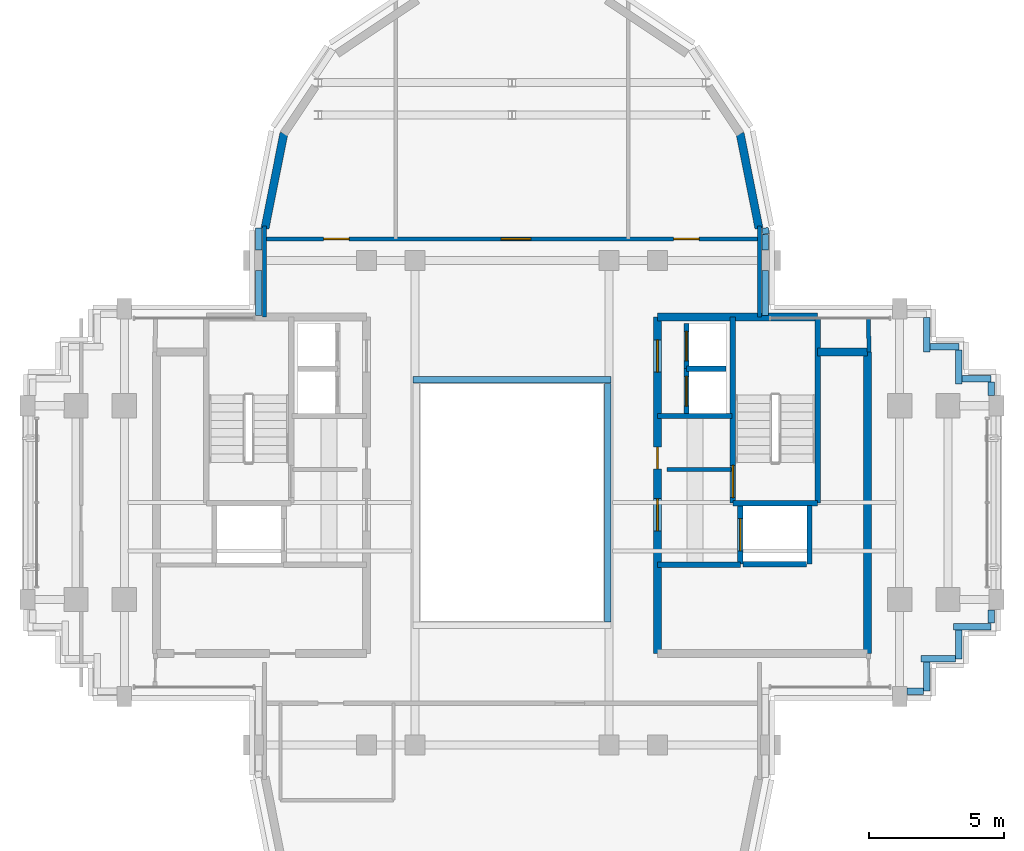
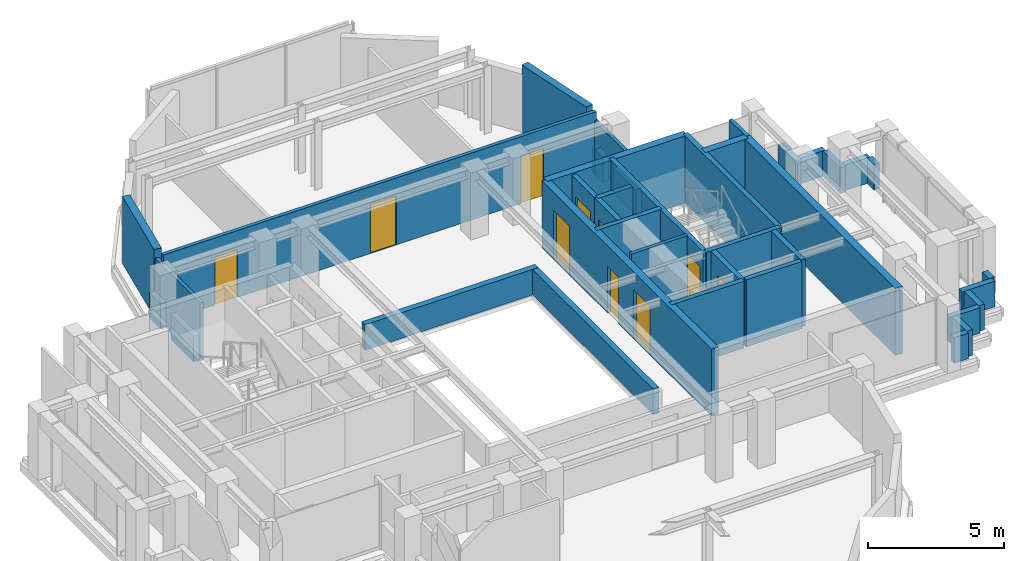
# One storey, part 9 of 12: 40 walls, 10 doors, 10 openings.
"""IFC4 building model written with IfcOpenShell, lengths in metres."""

from ifc_helpers import new_model, si_unit, direction, frame, frame_2d, origin, place, context, subcontext, project, spatial, rectangle, extrude, source, transform, mapped, material, layer, layer_set, type_object, element, fill, save


model = new_model("IFC4")

# Units and contexts
model_context = context("Model", 3, precision=1e-05, world=origin(), true_north=direction((0.0, 1.0)))
body_context = subcontext(model_context, "Body", "Model", "MODEL_VIEW")
ifc_project = project(units=[si_unit("LENGTHUNIT", "METRE"), si_unit("AREAUNIT", "SQUARE_METRE"), si_unit("VOLUMEUNIT", "CUBIC_METRE"), si_unit("PLANEANGLEUNIT", "RADIAN"), si_unit("MASSUNIT", "GRAM", prefix="KILO")], contexts=[model_context])

# Site, building, storey
site_placement = place(None, origin())
site = spatial("IfcSite", under=ifc_project, at=site_placement, CompositionType="ELEMENT")
building_placement = place(site_placement, origin())
building = spatial("IfcBuilding", under=site, at=building_placement, Name="Keilestroom Media Tower", CompositionType="ELEMENT")
storey_placement = place(building_placement, frame((0.0, 0.0, 246.0)))
storey = spatial("IfcBuildingStorey", under=building, at=storey_placement, Name="L68", CompositionType="ELEMENT", Elevation=246.0)

# Walls
ifc_material_1 = material(Name="Precast concrete C40/50", Category="concrete")
ifc_layer_1 = layer(ifc_material_1, 0.300048828125)
ifc_layer_set_1 = layer_set([ifc_layer_1], Name="Precast concrete C40/50")
wall_type_1 = type_object("IfcWallType", Name="Exterior-Masonry-Spandrel-Wall-300", PredefinedType="SOLIDWALL", material=ifc_layer_set_1)
for number, where, z_axis, x_axis, name in (
    (1, (9.1748046875, 10.185302734375, 0.0), (0.0, 0.0, 1.0), (-0.195114232679, 0.980780523974, 0.0), "L68 Lobe Facet Precast Frame Wall 01"),
    (2, (-8.470703125, 13.724609375, 0.0), (0.0, 0.0, 1.0), (-0.195114232679, -0.980780523974, 0.0), "L68 Lobe Facet Precast Frame Wall 06"),
):
    element("IfcWall", number, at=place(storey_placement, frame(where, z_axis=z_axis, x_axis=x_axis)), inside=storey, type_object=wall_type_1, Name=name, PredefinedType="SOLIDWALL", context=body_context, shape_type="SweptSolid", body=[
        extrude(rectangle(XDim=3.608642578125, YDim=0.300048828125, at=frame_2d((1.80419921875, 0.0))), origin(), (0.0, 0.0, 1.0), 3.010009765625),
    ])
ifc_material_2 = material(Name="Gypsum Plasterboard & Steel Stud", Category="steel")
ifc_layer_2 = layer(ifc_material_2, 0.14990234375)
ifc_layer_set_2 = layer_set([ifc_layer_2], Name="Gypsum Plasterboard & Steel Stud")
wall_type_2 = type_object("IfcWallType", Name="Interior-Partition-Wall-150", PredefinedType="PARTITIONING", material=ifc_layer_set_2)
wall_1_placement = place(storey_placement, frame((5.75, 1.239990234375, 0.0), z_axis=(0.0, 0.0, 1.0), x_axis=(1.0, 0.0, 0.0)))
element("IfcWall", 3, at=wall_1_placement, inside=storey, type_object=wall_type_2, Name="L68 Interior Wall WP-L68-FFE-TOP", PredefinedType="PARTITIONING", context=body_context, shape_type="SweptSolid", body=[
    extrude(rectangle(XDim=2.389892578125, YDim=0.14990234375, at=frame_2d((1.19482421875, 0.0))), origin(), (0.0, 0.0, 1.0), 3.010009765625),
])

# Wall, openings, doors
wall_2_placement = place(storey_placement, frame((-9.199951171875, 9.800048828125, 0.0), z_axis=(0.0, 0.0, 1.0), x_axis=(1.0, 0.0, 0.0)))
wall_2 = element("IfcWall", 4, at=wall_2_placement, inside=storey, type_object=wall_type_2, Name="L68 Interior Wall WP-L68-NL-BASE", PredefinedType="PARTITIONING", context=body_context, shape_type="SweptSolid", body=[
    extrude(rectangle(XDim=18.39990234375, YDim=0.14990234375, at=frame_2d((9.199951171875, 0.0))), origin(), (0.0, 0.0, 1.0), 3.010009765625),
])
opening_1_placement = place(wall_2_placement, frame((2.199951171875, 0.0, 0.0)))
opening_1 = element("IfcOpeningElement", 5, at=opening_1_placement, cuts=wall_2, Name="Opening DI-03", PredefinedType="OPENING", context=body_context, shape_type="SweptSolid", body=[
    extrude(rectangle(XDim=0.949951171875, YDim=2.14990234375, at=frame_2d((0.47509765625, 1.074951171875))), frame((0.0, 0.0849609375, 0.0), z_axis=(0.0, -1.0, 0.0), x_axis=(1.0, 0.0, 0.0)), (0.0, 0.0, 1.0), 0.169921875),
])
opening_2_placement = place(wall_2_placement, frame((8.800048828125, 0.0, 0.0)))
opening_2 = element("IfcOpeningElement", 6, at=opening_2_placement, cuts=wall_2, Name="Opening DI-04", PredefinedType="OPENING", context=body_context, shape_type="SweptSolid", body=[
    extrude(rectangle(XDim=1.10009765625, YDim=2.199951171875, at=frame_2d((0.550048828125, 1.10009765625))), frame((0.0, 0.0849609375, 0.0), z_axis=(0.0, -1.0, 0.0), x_axis=(1.0, 0.0, 0.0)), (0.0, 0.0, 1.0), 0.169921875),
])
opening_3_placement = place(wall_2_placement, frame((15.199951171875, 0.0, 0.0)))
opening_3 = element("IfcOpeningElement", 7, at=opening_3_placement, cuts=wall_2, Name="Opening DI-03", PredefinedType="OPENING", context=body_context, shape_type="SweptSolid", body=[
    extrude(rectangle(XDim=0.949951171875, YDim=2.14990234375, at=frame_2d((0.47509765625, 1.074951171875))), frame((0.0, 0.0849609375, 0.0), z_axis=(0.0, -1.0, 0.0), x_axis=(1.0, 0.0, 0.0)), (0.0, 0.0, 1.0), 0.169921875),
])
ifc_material_3 = material(Name="Lacquered European Oak Leaf", Category="wood")
door_type_1 = type_object("IfcDoorType", Name="Interior-Room-And-Suite-Door-DI-03", OperationType="NOTDEFINED", PredefinedType="DOOR", material=ifc_material_3)
shared_shape_1 = source(origin(), body_context, "Body", "SweptSolid", [
    extrude(rectangle(XDim=0.949951171875, YDim=2.14990234375, at=frame_2d((0.47509765625, 1.074951171875))), frame((0.0, 0.02490234375, 0.0), z_axis=(0.0, -1.0, 0.0), x_axis=(1.0, 0.0, 0.0)), (0.0, 0.0, 1.0), 0.050048828125),
])
door_1_placement = place(opening_1_placement, origin())
door_1 = element("IfcDoor", 8, at=door_1_placement, inside=storey, type_object=door_type_1, Name="L68 Interior Door DI-L68-DNL-W", OperationType="SINGLE_SWING_LEFT", OverallHeight=2.14990234375, OverallWidth=0.949951171875, PredefinedType="DOOR", context=body_context, shape_type="MappedRepresentation", body=[
    mapped(shared_shape_1, transform((0.0, 0.0, 0.0), x_axis=(1.0, 0.0, 0.0), y_axis=(0.0, 1.0, 0.0), z_axis=(0.0, 0.0, 1.0), scale=1.0)),
])
fill(opening_1, door_1)
door_2_placement = place(opening_3_placement, origin())
door_2 = element("IfcDoor", 9, at=door_2_placement, inside=storey, type_object=door_type_1, Name="L68 Interior Door DI-L68-DNL-E", OperationType="SINGLE_SWING_LEFT", OverallHeight=2.14990234375, OverallWidth=0.949951171875, PredefinedType="DOOR", context=body_context, shape_type="MappedRepresentation", body=[
    mapped(shared_shape_1, transform((0.0, 0.0, 0.0), x_axis=(1.0, 0.0, 0.0), y_axis=(0.0, 1.0, 0.0), z_axis=(0.0, 0.0, 1.0), scale=1.0)),
])
fill(opening_3, door_2)
ifc_material_4 = material(Name="Acoustic Glazed Aluminium Leaf", Category="aluminium")
door_type_2 = type_object("IfcDoorType", Name="Interior-Room-And-Suite-Door-DI-04", OperationType="NOTDEFINED", PredefinedType="DOOR", material=ifc_material_4)
shared_shape_2 = source(origin(), body_context, "Body", "SweptSolid", [
    extrude(rectangle(XDim=1.10009765625, YDim=2.199951171875, at=frame_2d((0.550048828125, 1.10009765625))), frame((0.0, 0.02490234375, 0.0), z_axis=(0.0, -1.0, 0.0), x_axis=(1.0, 0.0, 0.0)), (0.0, 0.0, 1.0), 0.050048828125),
])
door_3_placement = place(opening_2_placement, origin())
door_3 = element("IfcDoor", 10, at=door_3_placement, inside=storey, type_object=door_type_2, Name="L68 Interior Door DI-L68-DNL-C", OperationType="SINGLE_SWING_RIGHT", OverallHeight=2.199951171875, OverallWidth=1.10009765625, PredefinedType="DOOR", context=body_context, shape_type="MappedRepresentation", body=[
    mapped(shared_shape_2, transform((0.0, 0.0, 0.0), x_axis=(1.0, 0.0, 0.0), y_axis=(0.0, 1.0, 0.0), z_axis=(0.0, 0.0, 1.0), scale=1.0)),
])
fill(opening_2, door_3)

# Walls
for number, where, z_axis, x_axis, name in (
    (11, (-9.199951171875, 6.89990234375, 0.0), (0.0, 0.0, 1.0), (0.0, 1.0, 0.0), "L68 Interior Wall WP-L68-NL-CHKW"),
    (12, (9.199951171875, 6.89990234375, 0.0), (0.0, 0.0, 1.0), (0.0, 1.0, 0.0), "L68 Interior Wall WP-L68-NL-CHKE"),
):
    element("IfcWall", number, at=place(storey_placement, frame(where, z_axis=z_axis, x_axis=x_axis)), inside=storey, type_object=wall_type_2, Name=name, PredefinedType="PARTITIONING", context=body_context, shape_type="SweptSolid", body=[
        extrude(rectangle(XDim=3.380126953125, YDim=0.14990234375, at=frame_2d((1.68994140625, 0.0))), origin(), (0.0, 0.0, 1.0), 2.610107421875),
    ])
wall_3_placement = place(storey_placement, frame((13.260009765625, 5.60009765625, 0.0), z_axis=(0.0, 0.0, 1.0), x_axis=(-0.016013571389, 0.999871774545, 0.0)))
element("IfcWall", 13, at=wall_3_placement, inside=storey, type_object=wall_type_2, Name="L68 Interior Wall WP-L68-EA-ENTN", PredefinedType="PARTITIONING", context=body_context, shape_type="SweptSolid", body=[
    extrude(rectangle(XDim=1.250244140625, YDim=0.14990234375, at=frame_2d((0.625, 0.0))), origin(), (0.0, 0.0, 1.0), 3.010009765625),
])
ifc_material_5 = material(Name="Concrete C50/60", Category="concrete")
ifc_layer_3 = layer(ifc_material_5, 0.300048828125)
ifc_layer_set_3 = layer_set([ifc_layer_3], Name="Concrete C50/60")
wall_type_3 = type_object("IfcWallType", Name="Reinforced-Concrete-Core-Shear-Wall-300", PredefinedType="SHEAR", material=ifc_layer_set_3)
wall_4_placement = place(storey_placement, frame((13.199951171875, -5.60009765625, 0.0), z_axis=(0.0, 0.0, 1.0), x_axis=(0.0, 1.0, 0.0)))
element("IfcWall", 14, at=wall_4_placement, inside=storey, type_object=wall_type_3, Name="L68 Core Shear Wall WL-L68-CORE-E-OUT", PredefinedType="SHEAR", context=body_context, shape_type="SweptSolid", body=[
    extrude(rectangle(XDim=11.2001953125, YDim=0.300048828125, at=frame_2d((5.60009765625, 0.0))), origin(), (0.0, 0.0, 1.0), 3.010009765625),
])

# Wall, openings, doors
wall_5_placement = place(storey_placement, frame((5.39990234375, -5.60009765625, 0.0), z_axis=(0.0, 0.0, 1.0), x_axis=(0.0, 1.0, 0.0)))
wall_5 = element("IfcWall", 15, at=wall_5_placement, inside=storey, type_object=wall_type_3, Name="L68 Core Shear Wall WL-L68-CORE-E-IN", PredefinedType="SHEAR", context=body_context, shape_type="SweptSolid", body=[
    extrude(rectangle(XDim=12.5, YDim=0.300048828125, at=frame_2d((6.25, 0.0))), origin(), (0.0, 0.0, 1.0), 3.010009765625),
])
opening_4_placement = place(wall_5_placement, frame((4.550048828125, 0.0, 0.0)))
opening_4 = element("IfcOpeningElement", 16, at=opening_4_placement, cuts=wall_5, Name="Opening DI-02", PredefinedType="OPENING", context=body_context, shape_type="SweptSolid", body=[
    extrude(rectangle(XDim=1.199951171875, YDim=2.199951171875, at=frame_2d((0.60009765625, 1.10009765625))), frame((0.0, 0.16015625, 0.0), z_axis=(0.0, -1.0, 0.0), x_axis=(1.0, 0.0, 0.0)), (0.0, 0.0, 1.0), 0.320068359375),
])
opening_5_placement = place(wall_5_placement, frame((10.449951171875, 0.0, 0.0)))
opening_5 = element("IfcOpeningElement", 17, at=opening_5_placement, cuts=wall_5, Name="Opening DI-02", PredefinedType="OPENING", context=body_context, shape_type="SweptSolid", body=[
    extrude(rectangle(XDim=1.199951171875, YDim=2.199951171875, at=frame_2d((0.60009765625, 1.10009765625))), frame((0.0, 0.16015625, 0.0), z_axis=(0.0, -1.0, 0.0), x_axis=(1.0, 0.0, 0.0)), (0.0, 0.0, 1.0), 0.320068359375),
])
opening_6_placement = place(wall_5_placement, frame((6.860107421875, 0.0, 0.0)))
opening_6 = element("IfcOpeningElement", 18, at=opening_6_placement, cuts=wall_5, Name="Opening DI-06", PredefinedType="OPENING", context=body_context, shape_type="SweptSolid", body=[
    extrude(rectangle(XDim=0.800048828125, YDim=2.10009765625, at=frame_2d((0.39990234375, 1.050048828125))), frame((0.0, 0.16015625, 0.0), z_axis=(0.0, -1.0, 0.0), x_axis=(1.0, 0.0, 0.0)), (0.0, 0.0, 1.0), 0.320068359375),
])
ifc_material_6 = material(Name="Powder-Coated Steel Fire Leaf", Category="steel")
door_type_3 = type_object("IfcDoorType", Name="Interior-Compartment-Fire-Door-DI-02", OperationType="NOTDEFINED", PredefinedType="DOOR", material=ifc_material_6)
shared_shape_3 = source(origin(), body_context, "Body", "SweptSolid", [
    extrude(rectangle(XDim=1.199951171875, YDim=2.199951171875, at=frame_2d((0.60009765625, 1.10009765625))), frame((0.0, 0.02490234375, 0.0), z_axis=(0.0, -1.0, 0.0), x_axis=(1.0, 0.0, 0.0)), (0.0, 0.0, 1.0), 0.050048828125),
])
door_4_placement = place(opening_4_placement, origin())
door_4 = element("IfcDoor", 19, at=door_4_placement, inside=storey, type_object=door_type_3, Name="L68 E Firefighting Lobby Door", OperationType="SINGLE_SWING_LEFT", OverallHeight=2.199951171875, OverallWidth=1.199951171875, PredefinedType="DOOR", context=body_context, shape_type="MappedRepresentation", body=[
    mapped(shared_shape_3, transform((0.0, 0.0, 0.0), x_axis=(1.0, 0.0, 0.0), y_axis=(0.0, 1.0, 0.0), z_axis=(0.0, 0.0, 1.0), scale=1.0)),
])
fill(opening_4, door_4)
door_5_placement = place(opening_5_placement, origin())
door_5 = element("IfcDoor", 20, at=door_5_placement, inside=storey, type_object=door_type_3, Name="L68 E High-Rise Lift Lobby Door", OperationType="SINGLE_SWING_RIGHT", OverallHeight=2.199951171875, OverallWidth=1.199951171875, PredefinedType="DOOR", context=body_context, shape_type="MappedRepresentation", body=[
    mapped(shared_shape_3, transform((0.0, 0.0, 0.0), x_axis=(1.0, 0.0, 0.0), y_axis=(0.0, 1.0, 0.0), z_axis=(0.0, 0.0, 1.0), scale=1.0)),
])
fill(opening_5, door_5)
ifc_material_7 = material(Name="Powder-Coated Steel Service Leaf", Category="steel")
door_type_4 = type_object("IfcDoorType", Name="Interior-Riser-Access-Door-DI-06", OperationType="NOTDEFINED", PredefinedType="DOOR", material=ifc_material_7)
shared_shape_4 = source(origin(), body_context, "Body", "SweptSolid", [
    extrude(rectangle(XDim=0.800048828125, YDim=2.10009765625, at=frame_2d((0.39990234375, 1.050048828125))), frame((0.0, 0.02490234375, 0.0), z_axis=(0.0, -1.0, 0.0), x_axis=(1.0, 0.0, 0.0)), (0.0, 0.0, 1.0), 0.050048828125),
])
door_6_placement = place(opening_6_placement, origin())
door_6 = element("IfcDoor", 21, at=door_6_placement, inside=storey, type_object=door_type_4, Name="L68 East Core Telecom Door", OperationType="SINGLE_SWING_RIGHT", OverallHeight=2.10009765625, OverallWidth=0.800048828125, PredefinedType="DOOR", context=body_context, shape_type="MappedRepresentation", body=[
    mapped(shared_shape_4, transform((0.0, 0.0, 0.0), x_axis=(1.0, 0.0, 0.0), y_axis=(0.0, 1.0, 0.0), z_axis=(0.0, 0.0, 1.0), scale=1.0)),
])
fill(opening_6, door_6)

# Walls
wall_6_placement = place(storey_placement, frame((5.39990234375, 6.89990234375, 0.0), z_axis=(0.0, 0.0, 1.0), x_axis=(1.0, 0.0, 0.0)))
element("IfcWall", 22, at=wall_6_placement, inside=storey, type_object=wall_type_3, Name="L68 Core Shear Wall WL-L68-CORE-E-N", PredefinedType="SHEAR", context=body_context, shape_type="SweptSolid", body=[
    extrude(rectangle(XDim=5.9560546875, YDim=0.300048828125, at=frame_2d((2.97802734375, 0.0))), origin(), (0.0, 0.0, 1.0), 3.010009765625),
])
wall_7_placement = place(storey_placement, frame((11.35595703125, 5.60009765625, 0.0), z_axis=(0.0, 0.0, 1.0), x_axis=(1.0, 0.0, 0.0)))
element("IfcWall", 23, at=wall_7_placement, inside=storey, type_object=wall_type_3, Name="L68 Core Shear Wall WL-L68-CNE-N", PredefinedType="SHEAR", context=body_context, shape_type="SweptSolid", body=[
    extrude(rectangle(XDim=1.843994140625, YDim=0.300048828125, at=frame_2d((0.921875, 0.0))), origin(), (0.0, 0.0, 1.0), 3.010009765625),
])
ifc_layer_4 = layer(ifc_material_5, 0.199951171875)
ifc_layer_set_4 = layer_set([ifc_layer_4], Name="Concrete C50/60")
wall_type_4 = type_object("IfcWallType", Name="Reinforced-Concrete-Shaft-Wall-200", PredefinedType="SOLIDWALL", material=ifc_layer_set_4)
wall_8_placement = place(storey_placement, frame((5.39990234375, 3.219970703125, 0.0), z_axis=(0.0, 0.0, 1.0), x_axis=(1.0, 0.0, 0.0)))
element("IfcWall", 24, at=wall_8_placement, inside=storey, type_object=wall_type_4, Name="L68 Core Shear Wall WL-L68-CORE-E-FFN", PredefinedType="SOLIDWALL", context=body_context, shape_type="SweptSolid", body=[
    extrude(rectangle(XDim=2.780029296875, YDim=0.199951171875, at=frame_2d((1.39013671875, 0.0))), origin(), (0.0, 0.0, 1.0), 3.010009765625),
])
wall_9_placement = place(storey_placement, frame((5.39990234375, -2.300048828125, 0.0), z_axis=(0.0, 0.0, 1.0), x_axis=(1.0, 0.0, 0.0)))
element("IfcWall", 25, at=wall_9_placement, inside=storey, type_object=wall_type_4, Name="L68 Core Shear Wall WL-L68-CORE-E-FFS", PredefinedType="SOLIDWALL", context=body_context, shape_type="SweptSolid", body=[
    extrude(rectangle(XDim=3.080078125, YDim=0.199951171875, at=frame_2d((1.5400390625, 0.0))), origin(), (0.0, 0.0, 1.0), 3.010009765625),
])

# Wall, opening, door
wall_10_placement = place(storey_placement, frame((8.2041015625, -0.01611328125, 0.0), z_axis=(0.0, 0.0, 1.0), x_axis=(0.0, 1.0, 0.0)))
wall_10 = element("IfcWall", 26, at=wall_10_placement, inside=storey, type_object=wall_type_4, Name="L68 Core Shear Wall WL-L68-STW-E-NEAR", PredefinedType="SOLIDWALL", context=body_context, shape_type="SweptSolid", body=[
    extrude(rectangle(XDim=6.916015625, YDim=0.199951171875, at=frame_2d((3.4580078125, 0.0))), origin(), (0.0, 0.0, 1.0), 3.010009765625),
])
opening_7_placement = place(wall_10_placement, frame((0.199951171875, 0.0, 0.0)))
opening_7 = element("IfcOpeningElement", 27, at=opening_7_placement, cuts=wall_10, Name="Opening DI-01S", PredefinedType="OPENING", context=body_context, shape_type="SweptSolid", body=[
    extrude(rectangle(XDim=1.199951171875, YDim=2.199951171875, at=frame_2d((0.60009765625, 1.10009765625))), frame((0.0, 0.10986328125, 0.0), z_axis=(0.0, -1.0, 0.0), x_axis=(1.0, 0.0, 0.0)), (0.0, 0.0, 1.0), 0.219970703125),
])
door_type_5 = type_object("IfcDoorType", Name="Interior-Stair-And-Core-Fire-Door-DI-01", OperationType="NOTDEFINED", PredefinedType="DOOR", material=ifc_material_6)
door_7_placement = place(opening_7_placement, origin())
door_7 = element("IfcDoor", 28, at=door_7_placement, inside=storey, type_object=door_type_5, Name="L68 Escape Stair ST-2 Fire Door", OperationType="SINGLE_SWING_RIGHT", OverallHeight=2.199951171875, OverallWidth=1.199951171875, PredefinedType="DOOR", context=body_context, shape_type="MappedRepresentation", body=[
    mapped(shared_shape_3, transform((0.0, 0.0, 0.0), x_axis=(1.0, 0.0, 0.0), y_axis=(0.0, 1.0, 0.0), z_axis=(0.0, 0.0, 1.0), scale=1.0)),
])
fill(opening_7, door_7)

# Walls
wall_11_placement = place(storey_placement, frame((11.35595703125, -0.01611328125, 0.0), z_axis=(0.0, 0.0, 1.0), x_axis=(0.0, 1.0, 0.0)))
element("IfcWall", 29, at=wall_11_placement, inside=storey, type_object=wall_type_4, Name="L68 Core Shear Wall WL-L68-STW-E-FAR", PredefinedType="SOLIDWALL", context=body_context, shape_type="SweptSolid", body=[
    extrude(rectangle(XDim=6.916015625, YDim=0.199951171875, at=frame_2d((3.4580078125, 0.0))), origin(), (0.0, 0.0, 1.0), 3.010009765625),
])
wall_12_placement = place(storey_placement, frame((8.2041015625, -0.01611328125, 0.0), z_axis=(0.0, 0.0, 1.0), x_axis=(1.0, 0.0, 0.0)))
element("IfcWall", 30, at=wall_12_placement, inside=storey, type_object=wall_type_4, Name="L68 Core Shear Wall WL-L68-STW-E-S", PredefinedType="SOLIDWALL", context=body_context, shape_type="SweptSolid", body=[
    extrude(rectangle(XDim=3.15185546875, YDim=0.199951171875, at=frame_2d((1.575927734375, 0.0))), origin(), (0.0, 0.0, 1.0), 3.010009765625),
])

# Wall, opening, door
wall_13_placement = place(storey_placement, frame((8.47998046875, -2.280029296875, 0.0), z_axis=(0.0, 0.0, 1.0), x_axis=(0.0, 1.0, 0.0)))
wall_13 = element("IfcWall", 31, at=wall_13_placement, inside=storey, type_object=wall_type_4, Name="L68 Core Shear Wall WL-L68-LSH-FFL-2-W", PredefinedType="SOLIDWALL", context=body_context, shape_type="SweptSolid", body=[
    extrude(rectangle(XDim=2.179931640625, YDim=0.199951171875, at=frame_2d((1.08984375, 0.0))), origin(), (0.0, 0.0, 1.0), 3.010009765625),
])
opening_8_placement = place(wall_13_placement, frame((0.489990234375, 0.0, 0.0)))
opening_8 = element("IfcOpeningElement", 32, at=opening_8_placement, cuts=wall_13, Name="Opening LD-02", PredefinedType="OPENING", context=body_context, shape_type="SweptSolid", body=[
    extrude(rectangle(XDim=1.199951171875, YDim=2.199951171875, at=frame_2d((0.60009765625, 1.10009765625))), frame((0.0, 0.10986328125, 0.0), z_axis=(0.0, -1.0, 0.0), x_axis=(1.0, 0.0, 0.0)), (0.0, 0.0, 1.0), 0.219970703125),
])
ifc_material_8 = material(Name="Brushed Stainless Steel Sliding Leaf", Category="steel")
door_type_6 = type_object("IfcDoorType", Name="Lift-Landing-Sliding-Door-LD-02", OperationType="SLIDING_TO_RIGHT", PredefinedType="DOOR", material=ifc_material_8)
door_8_placement = place(opening_8_placement, origin())
door_8 = element("IfcDoor", 33, at=door_8_placement, inside=storey, type_object=door_type_6, Name="L68 Lift FFL-2 Landing Sliding Door", OperationType="SLIDING_TO_RIGHT", OverallHeight=2.199951171875, OverallWidth=1.199951171875, PredefinedType="DOOR", context=body_context, shape_type="MappedRepresentation", body=[
    mapped(shared_shape_3, transform((0.0, 0.0, 0.0), x_axis=(1.0, 0.0, 0.0), y_axis=(0.0, 1.0, 0.0), z_axis=(0.0, 0.0, 1.0), scale=1.0)),
])
fill(opening_8, door_8)

# Walls
wall_14_placement = place(storey_placement, frame((11.050048828125, -2.280029296875, 0.0), z_axis=(0.0, 0.0, 1.0), x_axis=(0.0, 1.0, 0.0)))
element("IfcWall", 34, at=wall_14_placement, inside=storey, type_object=wall_type_4, Name="L68 Core Shear Wall WL-L68-LSH-FFL-2-E", PredefinedType="SOLIDWALL", context=body_context, shape_type="SweptSolid", body=[
    extrude(rectangle(XDim=2.179931640625, YDim=0.199951171875, at=frame_2d((1.08984375, 0.0))), origin(), (0.0, 0.0, 1.0), 3.010009765625),
])
wall_15_placement = place(storey_placement, frame((8.583984375, -2.280029296875, 0.0), z_axis=(0.0, 0.0, 1.0), x_axis=(1.0, 0.0, 0.0)))
element("IfcWall", 35, at=wall_15_placement, inside=storey, type_object=wall_type_4, Name="L68 Core Shear Wall WL-L68-LSH-FFL-2-S", PredefinedType="SOLIDWALL", context=body_context, shape_type="SweptSolid", body=[
    extrude(rectangle(XDim=2.362060546875, YDim=0.199951171875, at=frame_2d((1.18115234375, 0.0))), origin(), (0.0, 0.0, 1.0), 3.010009765625),
])

# Wall, opening, door
wall_16_placement = place(storey_placement, frame((6.47998046875, 3.300048828125, 0.0), z_axis=(0.0, 0.0, 1.0), x_axis=(0.0, 1.0, 0.0)))
wall_16 = element("IfcWall", 36, at=wall_16_placement, inside=storey, type_object=wall_type_4, Name="L68 Core Shear Wall WL-L68-LSH-PL-H3-W", PredefinedType="SOLIDWALL", context=body_context, shape_type="SweptSolid", body=[
    extrude(rectangle(XDim=1.679931640625, YDim=0.199951171875, at=frame_2d((0.83984375, 0.0))), origin(), (0.0, 0.0, 1.0), 3.010009765625),
])
opening_9_placement = place(wall_16_placement, frame((0.2900390625, 0.0, 0.0)))
opening_9 = element("IfcOpeningElement", 37, at=opening_9_placement, cuts=wall_16, Name="Opening LD-01", PredefinedType="OPENING", context=body_context, shape_type="SweptSolid", body=[
    extrude(rectangle(XDim=1.10009765625, YDim=2.199951171875, at=frame_2d((0.550048828125, 1.10009765625))), frame((0.0, 0.10986328125, 0.0), z_axis=(0.0, -1.0, 0.0), x_axis=(1.0, 0.0, 0.0)), (0.0, 0.0, 1.0), 0.219970703125),
])
door_type_7 = type_object("IfcDoorType", Name="Lift-Landing-Sliding-Door-LD-01", OperationType="SLIDING_TO_LEFT", PredefinedType="DOOR", material=ifc_material_8)
door_9_placement = place(opening_9_placement, origin())
door_9 = element("IfcDoor", 38, at=door_9_placement, inside=storey, type_object=door_type_7, Name="L68 Lift PL-H3 Landing Sliding Door", OperationType="SLIDING_TO_LEFT", OverallHeight=2.199951171875, OverallWidth=1.10009765625, PredefinedType="DOOR", context=body_context, shape_type="MappedRepresentation", body=[
    mapped(shared_shape_2, transform((0.0, 0.0, 0.0), x_axis=(1.0, 0.0, 0.0), y_axis=(0.0, 1.0, 0.0), z_axis=(0.0, 0.0, 1.0), scale=1.0)),
])
fill(opening_9, door_9)

# Wall
wall_17_placement = place(storey_placement, frame((6.47998046875, 4.97998046875, 0.0), z_axis=(0.0, 0.0, 1.0), x_axis=(1.0, 0.0, 0.0)))
element("IfcWall", 39, at=wall_17_placement, inside=storey, type_object=wall_type_4, Name="L68 Core Shear Wall WL-L68-LSH-PL-H3-N", PredefinedType="SOLIDWALL", context=body_context, shape_type="SweptSolid", body=[
    extrude(rectangle(XDim=1.469970703125, YDim=0.199951171875, at=frame_2d((0.73486328125, 0.0))), origin(), (0.0, 0.0, 1.0), 3.010009765625),
])

# Wall, opening, door
wall_18_placement = place(storey_placement, frame((6.47998046875, 4.97998046875, 0.0), z_axis=(0.0, 0.0, 1.0), x_axis=(0.0, 1.0, 0.0)))
wall_18 = element("IfcWall", 40, at=wall_18_placement, inside=storey, type_object=wall_type_4, Name="L68 Core Shear Wall WL-L68-LSH-PL-H4-W", PredefinedType="SOLIDWALL", context=body_context, shape_type="SweptSolid", body=[
    extrude(rectangle(XDim=1.669921875, YDim=0.199951171875, at=frame_2d((0.8349609375, 0.0))), origin(), (0.0, 0.0, 1.0), 3.010009765625),
])
opening_10_placement = place(wall_18_placement, frame((0.284912109375, 0.0, 0.0)))
opening_10 = element("IfcOpeningElement", 41, at=opening_10_placement, cuts=wall_18, Name="Opening LD-01", PredefinedType="OPENING", context=body_context, shape_type="SweptSolid", body=[
    extrude(rectangle(XDim=1.10009765625, YDim=2.199951171875, at=frame_2d((0.550048828125, 1.10009765625))), frame((0.0, 0.10986328125, 0.0), z_axis=(0.0, -1.0, 0.0), x_axis=(1.0, 0.0, 0.0)), (0.0, 0.0, 1.0), 0.219970703125),
])
door_10_placement = place(opening_10_placement, origin())
door_10 = element("IfcDoor", 42, at=door_10_placement, inside=storey, type_object=door_type_7, Name="L68 Lift PL-H4 Landing Sliding Door", OperationType="SLIDING_TO_LEFT", OverallHeight=2.199951171875, OverallWidth=1.10009765625, PredefinedType="DOOR", context=body_context, shape_type="MappedRepresentation", body=[
    mapped(shared_shape_2, transform((0.0, 0.0, 0.0), x_axis=(1.0, 0.0, 0.0), y_axis=(0.0, 1.0, 0.0), z_axis=(0.0, 0.0, 1.0), scale=1.0)),
])
fill(opening_10, door_10)

# Walls
ifc_layer_5 = layer(ifc_material_1, 0.239990234375)
ifc_layer_set_5 = layer_set([ifc_layer_5], Name="Precast concrete C40/50")
wall_type_5 = type_object("IfcWallType", Name="Roof-And-Terrace-Parapet-Wall-240", PredefinedType="PARAPET", material=ifc_layer_set_5)
wall_19_placement = place(storey_placement, frame((17.800048828125, -4.60009765625, 0.0), z_axis=(0.0, 0.0, 1.0), x_axis=(-1.0, 0.0, 0.0)))
element("IfcWall", 43, at=wall_19_placement, inside=storey, type_object=wall_type_5, Name="L68 Perimeter Edge Parapet Wall 01", PredefinedType="PARAPET", context=body_context, shape_type="SweptSolid", body=[
    extrude(rectangle(XDim=1.400146484375, YDim=0.239990234375, at=frame_2d((0.7001953125, 0.0))), origin(), (0.0, 0.0, 1.0), 1.14990234375),
])
wall_20_placement = place(storey_placement, frame((16.60009765625, -4.722900390625, 0.0), z_axis=(0.0, 0.0, 1.0), x_axis=(0.0, -1.0, 0.0)))
element("IfcWall", 44, at=wall_20_placement, inside=storey, type_object=wall_type_5, Name="L68 Perimeter Edge Parapet Wall 02", PredefinedType="PARAPET", context=body_context, shape_type="SweptSolid", body=[
    extrude(rectangle(XDim=1.0771484375, YDim=0.239990234375, at=frame_2d((0.53857421875, 0.0))), origin(), (0.0, 0.0, 1.0), 1.14990234375),
])
wall_21_placement = place(storey_placement, frame((16.47705078125, -5.800048828125, 0.0), z_axis=(0.0, 0.0, 1.0), x_axis=(-1.0, 0.0, 0.0)))
element("IfcWall", 45, at=wall_21_placement, inside=storey, type_object=wall_type_5, Name="L68 Perimeter Edge Parapet Wall 03", PredefinedType="PARAPET", context=body_context, shape_type="SweptSolid", body=[
    extrude(rectangle(XDim=1.277099609375, YDim=0.239990234375, at=frame_2d((0.638671875, 0.0))), origin(), (0.0, 0.0, 1.0), 1.14990234375),
])
wall_22_placement = place(storey_placement, frame((15.39990234375, -5.923095703125, 0.0), z_axis=(0.0, 0.0, 1.0), x_axis=(0.0, -1.0, 0.0)))
element("IfcWall", 46, at=wall_22_placement, inside=storey, type_object=wall_type_5, Name="L68 Perimeter Edge Parapet Wall 04", PredefinedType="PARAPET", context=body_context, shape_type="SweptSolid", body=[
    extrude(rectangle(XDim=1.076904296875, YDim=0.239990234375, at=frame_2d((0.53857421875, 0.0))), origin(), (0.0, 0.0, 1.0), 1.14990234375),
])
wall_23_placement = place(storey_placement, frame((15.277099609375, -7.0, 0.0), z_axis=(0.0, 0.0, 1.0), x_axis=(-1.0, 0.0, 0.0)))
element("IfcWall", 47, at=wall_23_placement, inside=storey, type_object=wall_type_5, Name="L68 Perimeter Edge Parapet Wall 05", PredefinedType="PARAPET", context=body_context, shape_type="SweptSolid", body=[
    extrude(rectangle(XDim=0.59912109375, YDim=0.239990234375, at=frame_2d((0.299560546875, 0.0))), origin(), (0.0, 0.0, 1.0), 1.14990234375),
])
wall_24_placement = place(storey_placement, frame((-9.39990234375, 6.952880859375, 0.0), z_axis=(0.0, 0.0, 1.0), x_axis=(0.0, 1.0, 0.0)))
element("IfcWall", 48, at=wall_24_placement, inside=storey, type_object=wall_type_5, Name="L68 Perimeter Edge Parapet Wall 26", PredefinedType="PARAPET", context=body_context, shape_type="SweptSolid", body=[
    extrude(rectangle(XDim=1.669189453125, YDim=0.239990234375, at=frame_2d((0.83447265625, 0.0))), origin(), (0.0, 0.0, 1.0), 1.14990234375),
])
wall_25_placement = place(storey_placement, frame((-9.39990234375, 9.3779296875, 0.0), z_axis=(0.0, 0.0, 1.0), x_axis=(0.0, 1.0, 0.0)))
element("IfcWall", 49, at=wall_25_placement, inside=storey, type_object=wall_type_5, Name="L68 Perimeter Edge Parapet Wall 27", PredefinedType="PARAPET", context=body_context, shape_type="SweptSolid", body=[
    extrude(rectangle(XDim=0.824951171875, YDim=0.239990234375, at=frame_2d((0.41259765625, 0.0))), origin(), (0.0, 0.0, 1.0), 1.14990234375),
])
wall_26_placement = place(storey_placement, frame((9.395263671875, 10.2041015625, 0.0), z_axis=(0.0, 0.0, 1.0), x_axis=(0.194859894132, -0.980831087221, 0.0)))
element("IfcWall", 50, at=wall_26_placement, inside=storey, type_object=wall_type_5, Name="L68 Perimeter Edge Parapet Wall 30", PredefinedType="PARAPET", context=body_context, shape_type="SweptSolid", body=[
    extrude(rectangle(XDim=0.224365234375, YDim=0.239990234375, at=frame_2d((0.1123046875, 0.0))), origin(), (0.0, 0.0, 1.0), 1.14990234375),
])
wall_27_placement = place(storey_placement, frame((9.39990234375, 9.957763671875, 0.0), z_axis=(0.0, 0.0, 1.0), x_axis=(0.0, -1.0, 0.0)))
element("IfcWall", 51, at=wall_27_placement, inside=storey, type_object=wall_type_5, Name="L68 Perimeter Edge Parapet Wall 31", PredefinedType="PARAPET", context=body_context, shape_type="SweptSolid", body=[
    extrude(rectangle(XDim=0.579833984375, YDim=0.239990234375, at=frame_2d((0.2900390625, 0.0))), origin(), (0.0, 0.0, 1.0), 1.14990234375),
])
wall_28_placement = place(storey_placement, frame((9.39990234375, 8.6220703125, 0.0), z_axis=(0.0, 0.0, 1.0), x_axis=(0.0, -1.0, 0.0)))
element("IfcWall", 52, at=wall_28_placement, inside=storey, type_object=wall_type_5, Name="L68 Perimeter Edge Parapet Wall 32", PredefinedType="PARAPET", context=body_context, shape_type="SweptSolid", body=[
    extrude(rectangle(XDim=1.669189453125, YDim=0.239990234375, at=frame_2d((0.83447265625, 0.0))), origin(), (0.0, 0.0, 1.0), 1.14990234375),
])
wall_29_placement = place(storey_placement, frame((15.39990234375, 6.876953125, 0.0), z_axis=(0.0, 0.0, 1.0), x_axis=(0.0, -1.0, 0.0)))
element("IfcWall", 53, at=wall_29_placement, inside=storey, type_object=wall_type_5, Name="L68 Perimeter Edge Parapet Wall 34", PredefinedType="PARAPET", context=body_context, shape_type="SweptSolid", body=[
    extrude(rectangle(XDim=1.27685546875, YDim=0.239990234375, at=frame_2d((0.638427734375, 0.0))), origin(), (0.0, 0.0, 1.0), 1.14990234375),
])
wall_30_placement = place(storey_placement, frame((15.52294921875, 5.800048828125, 0.0), z_axis=(0.0, 0.0, 1.0), x_axis=(1.0, 0.0, 0.0)))
element("IfcWall", 54, at=wall_30_placement, inside=storey, type_object=wall_type_5, Name="L68 Perimeter Edge Parapet Wall 35", PredefinedType="PARAPET", context=body_context, shape_type="SweptSolid", body=[
    extrude(rectangle(XDim=1.0771484375, YDim=0.239990234375, at=frame_2d((0.53857421875, 0.0))), origin(), (0.0, 0.0, 1.0), 1.14990234375),
])
wall_31_placement = place(storey_placement, frame((16.60009765625, 5.677001953125, 0.0), z_axis=(0.0, 0.0, 1.0), x_axis=(0.0, -1.0, 0.0)))
element("IfcWall", 55, at=wall_31_placement, inside=storey, type_object=wall_type_5, Name="L68 Perimeter Edge Parapet Wall 36", PredefinedType="PARAPET", context=body_context, shape_type="SweptSolid", body=[
    extrude(rectangle(XDim=1.277099609375, YDim=0.239990234375, at=frame_2d((0.638671875, 0.0))), origin(), (0.0, 0.0, 1.0), 1.14990234375),
])
wall_32_placement = place(storey_placement, frame((16.722900390625, 4.60009765625, 0.0), z_axis=(0.0, 0.0, 1.0), x_axis=(1.0, 0.0, 0.0)))
element("IfcWall", 56, at=wall_32_placement, inside=storey, type_object=wall_type_5, Name="L68 Perimeter Edge Parapet Wall 37", PredefinedType="PARAPET", context=body_context, shape_type="SweptSolid", body=[
    extrude(rectangle(XDim=1.0771484375, YDim=0.239990234375, at=frame_2d((0.53857421875, 0.0))), origin(), (0.0, 0.0, 1.0), 1.14990234375),
])
for number, where, z_axis, x_axis, name in (
    (57, (17.800048828125, 4.47705078125, 0.0), (0.0, 0.0, 1.0), (0.0, -1.0, 0.0), "L68 Perimeter Edge Parapet Wall 38"),
    (58, (17.800048828125, -3.97802734375, 0.0), (0.0, 0.0, 1.0), (0.0, -1.0, 0.0), "L68 Perimeter Edge Parapet Wall 39"),
):
    element("IfcWall", number, at=place(storey_placement, frame(where, z_axis=z_axis, x_axis=x_axis)), inside=storey, type_object=wall_type_5, Name=name, PredefinedType="PARAPET", context=body_context, shape_type="SweptSolid", body=[
        extrude(rectangle(XDim=0.4990234375, YDim=0.239990234375, at=frame_2d((0.24951171875, 0.0))), origin(), (0.0, 0.0, 1.0), 1.14990234375),
    ])
wall_33_placement = place(storey_placement, frame((-3.679931640625, 4.56005859375, 0.0), z_axis=(0.0, 0.0, 1.0), x_axis=(1.0, 0.0, 0.0)))
element("IfcWall", 59, at=wall_33_placement, inside=storey, type_object=wall_type_5, Name="L68 Central Atrium Guard Parapet N", PredefinedType="PARAPET", context=body_context, shape_type="SweptSolid", body=[
    extrude(rectangle(XDim=7.35986328125, YDim=0.239990234375, at=frame_2d((3.679931640625, 0.0))), origin(), (0.0, 0.0, 1.0), 1.14990234375),
])
wall_34_placement = place(storey_placement, frame((3.56005859375, -4.43505859375, 0.0), z_axis=(0.0, 0.0, 1.0), x_axis=(0.0, 1.0, 0.0)))
element("IfcWall", 60, at=wall_34_placement, inside=storey, type_object=wall_type_5, Name="L68 Central Atrium Guard Parapet E", PredefinedType="PARAPET", context=body_context, shape_type="SweptSolid", body=[
    extrude(rectangle(XDim=8.8701171875, YDim=0.239990234375, at=frame_2d((4.43505859375, 0.0))), origin(), (0.0, 0.0, 1.0), 1.14990234375),
])

save(model, "model.ifc")
